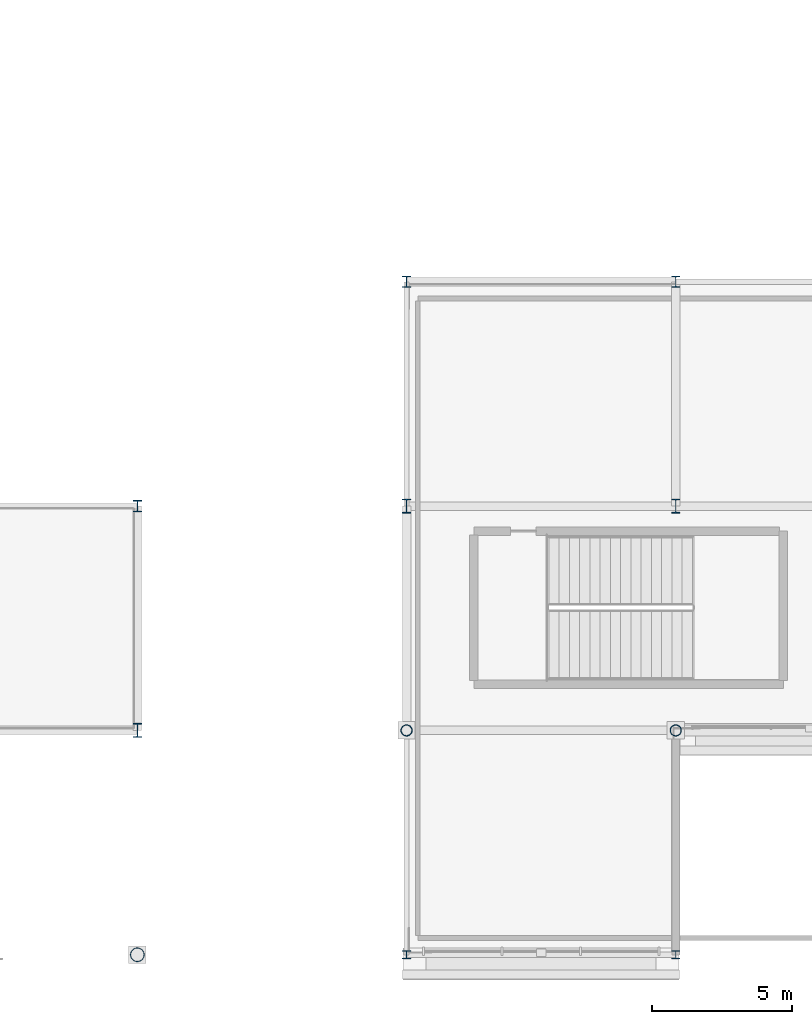
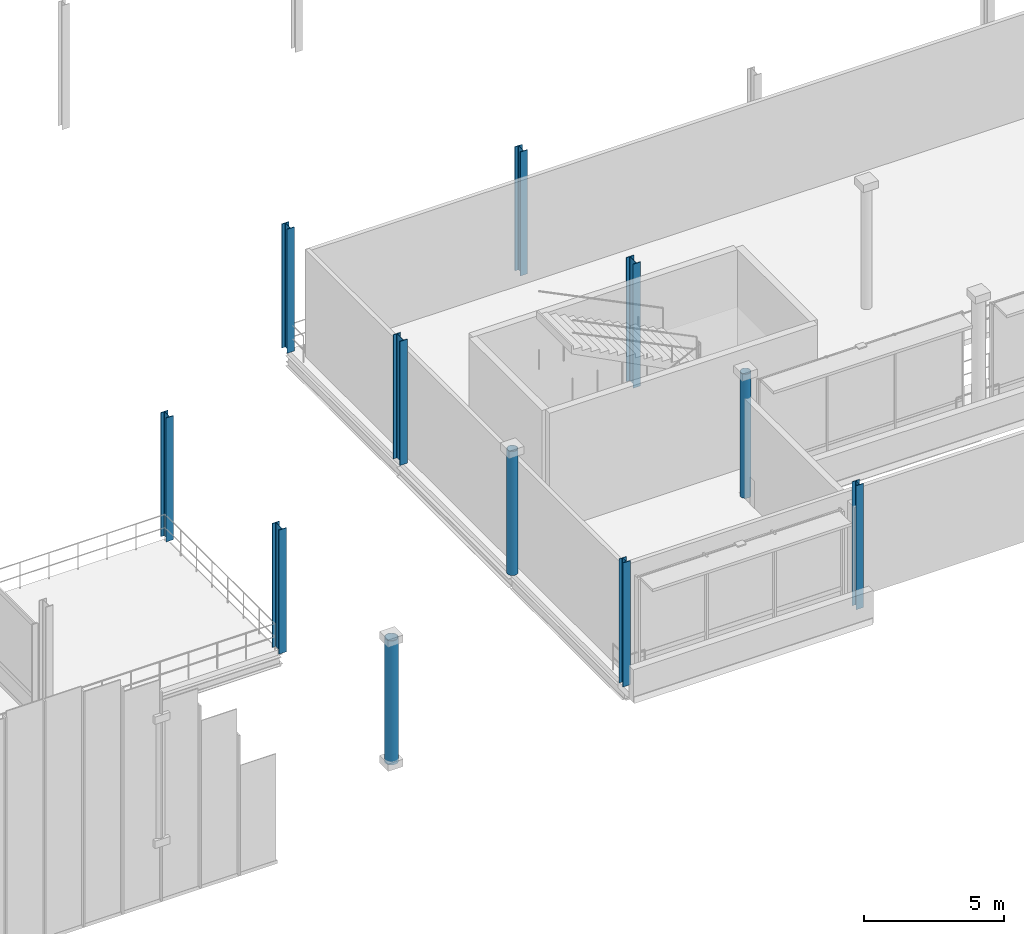
# One storey, part 12 of 129: 11 columns.
"""IFC4 building model written with IfcOpenShell, lengths in metres."""

import ifcopenshell
import ifcopenshell.guid

model = None  # the IFC model being written
_history = None  # IfcOwnerHistory: only IFC2X3 demands one
_inside = {}  # id of a spatial element -> (the spatial element, [elements in it])
_under = {}  # id of a project, library or spatial element -> (it, [spatial elements below it])
_declared = {}  # id of a project -> (the project, [libraries it declares])
_typed = {}  # id of a type object -> (the type object, [elements of that type])
_made_of = {}  # id of a material, layer set ... -> (it, [elements and type objects made of it])


def new_model(schema):
    """Start an empty IFC model of exactly this schema.

    Asked for "IFC4X3", IfcOpenShell would pick the latest addendum, in which some entities
    have other attributes; the version numbers below select the first issue.
    IFC2X3 requires an IfcOwnerHistory on every rooted entity: one is made here for all.
    """
    global model, _history
    if schema == "IFC4X3":
        model = ifcopenshell.file(schema_version=(4, 3, 0, 0))
    else:
        model = ifcopenshell.file(schema=schema)
    _inside.clear()
    _under.clear()
    _declared.clear()
    _typed.clear()
    _made_of.clear()
    _history = None
    if model.schema == "IFC2X3":
        org = make("IfcOrganization", Name="unknown")
        user = make(
            "IfcPersonAndOrganization",
            ThePerson=make("IfcPerson", FamilyName="unknown"),
            TheOrganization=org,
        )
        app = make(
            "IfcApplication",
            ApplicationDeveloper=org,
            Version="unknown",
            ApplicationFullName="unknown",
            ApplicationIdentifier="unknown",
        )
        _history = make(
            "IfcOwnerHistory",
            OwningUser=user,
            OwningApplication=app,
            ChangeAction="ADDED",
            CreationDate=0,
        )
    return model


def make(cls, **values):
    """One entity of the class cls with the attributes given. An attribute that is None is left unset."""
    return model.create_entity(
        cls, **{name: value for name, value in values.items() if value is not None}
    )


def rooted(cls, **values):
    """An entity with a GlobalId (a new one), such as an element, a storey or a relation."""
    return make(cls, GlobalId=ifcopenshell.guid.new(), OwnerHistory=_history, **values)


def si_unit(unit_type, name, prefix=None):
    """IfcSIUnit, for example si_unit("LENGTHUNIT", "METRE", prefix="MILLI")."""
    return make("IfcSIUnit", UnitType=unit_type, Prefix=prefix, Name=name)


def assignment(units):
    """IfcUnitAssignment: the units of a project."""
    return None if units is None else make("IfcUnitAssignment", Units=units)


def point(xyz):
    """IfcCartesianPoint."""
    return None if xyz is None else make("IfcCartesianPoint", Coordinates=xyz)


def direction(xyz):
    """IfcDirection."""
    return None if xyz is None else make("IfcDirection", DirectionRatios=xyz)


def frame(location, z_axis=None, x_axis=None):
    """IfcAxis2Placement3D, a coordinate frame: its origin and axes. An axis left out is left unset."""
    return make(
        "IfcAxis2Placement3D",
        Location=point(location),
        Axis=direction(z_axis),
        RefDirection=direction(x_axis),
    )


def frame_2d(location, x_axis=None):
    """IfcAxis2Placement2D, a coordinate frame in the plane: its origin and x axis."""
    return make(
        "IfcAxis2Placement2D", Location=point(location), RefDirection=direction(x_axis)
    )


def origin():
    """The frame at (0, 0, 0) with its axes left unset."""
    return frame((0.0, 0.0, 0.0))


def origin_2d():
    """The frame at (0, 0) in the plane with its x axis left unset."""
    return frame_2d((0.0, 0.0))


def place(relative_to, where):
    """IfcLocalPlacement: puts the frame where relative to a parent placement (None: the world)."""
    return make(
        "IfcLocalPlacement", PlacementRelTo=relative_to, RelativePlacement=where
    )


def context(
    kind, dimensions, precision=None, world=None, true_north=None, identifier=None
):
    """IfcGeometricRepresentationContext, for example the 3D "Model" context."""
    return make(
        "IfcGeometricRepresentationContext",
        ContextIdentifier=identifier,
        ContextType=kind,
        CoordinateSpaceDimension=dimensions,
        Precision=precision,
        WorldCoordinateSystem=world,
        TrueNorth=true_north,
    )


def subcontext(parent, identifier, kind, view, scale=None):
    """IfcGeometricRepresentationSubContext, for example "Body" below "Model"."""
    return make(
        "IfcGeometricRepresentationSubContext",
        ContextIdentifier=identifier,
        ContextType=kind,
        ParentContext=parent,
        TargetScale=scale,
        TargetView=view,
    )


def project(units=None, contexts=None):
    """IfcProject with its units and contexts."""
    return rooted(
        "IfcProject",
        Name="project",
        RepresentationContexts=contexts,
        UnitsInContext=assignment(units),
    )


def spatial(cls, under=None, at=None, **own):
    """A site, building, storey or space (cls), placed at a placement, below another one or the project."""
    s = rooted(cls, ObjectPlacement=at, **own)
    if under is not None:
        _under.setdefault(under.id(), (under, []))[1].append(s)
    return s


def profile(cls, at=None, kind="AREA", **sizes):
    """A parametric profile (cls). Its sizes go by their IFC names, for example OverallWidth=200.0."""
    return make(cls, ProfileType=kind, Position=at, **sizes)


def hollow_circle(**sizes):
    """IfcCircleHollowProfileDef."""
    return profile("IfcCircleHollowProfileDef", **sizes)


def i_section(**sizes):
    """IfcIShapeProfileDef."""
    return profile("IfcIShapeProfileDef", **sizes)


def extrude(swept, where, along, depth):
    """IfcExtrudedAreaSolid: the profile swept, set in the frame where, extruded along a direction by depth."""
    return make(
        "IfcExtrudedAreaSolid",
        SweptArea=swept,
        Position=where,
        ExtrudedDirection=direction(along),
        Depth=depth,
    )


def shape(context_of_items, identifier, shape_type, items):
    """IfcShapeRepresentation: the items that make up one representation, for example the "Body"."""
    return make(
        "IfcShapeRepresentation",
        ContextOfItems=context_of_items,
        RepresentationIdentifier=identifier,
        RepresentationType=shape_type,
        Items=items,
    )


def material(Name=None, Category=None):
    """IfcMaterial."""
    return make("IfcMaterial", Name=Name, Category=Category)


def material_profile(
    of_material, cross_section, Name=None, Category=None, Priority=None
):
    """IfcMaterialProfile: a cross section and its material."""
    return make(
        "IfcMaterialProfile",
        Name=Name,
        Material=of_material,
        Profile=cross_section,
        Priority=Priority,
        Category=Category,
    )


def profile_set(profiles, Name=None, composite=None):
    """IfcMaterialProfileSet."""
    return make(
        "IfcMaterialProfileSet",
        Name=Name,
        MaterialProfiles=profiles,
        CompositeProfile=composite,
    )


def made_of(thing, what):
    """Note that an element or type object is made of a material, layer set ...; save() writes the relation."""
    if what is not None:
        _made_of.setdefault(what.id(), (what, []))[1].append(thing)
    return thing


def type_object(cls, material=None, **own):
    """A type object (cls), such as IfcWallType, which elements share."""
    return made_of(rooted(cls, **own), material)


def element(
    cls,
    number,
    at=None,
    inside=None,
    cuts=None,
    type_object=None,
    material=None,
    context=None,
    identifier="Body",
    shape_type=None,
    held_by="IfcProductDefinitionShape",
    body=None,
    shapes=None,
    **own,
):
    """One element of the class cls, such as IfcWall. Its Tag is "e" and its number.

    at: its placement. inside: the storey or other place that contains it. cuts: it is an
    opening in that element (IfcRelVoidsElement). A single representation is given by context,
    identifier, shape_type and body (its items); several are given by shapes. held_by: the class
    of the entity that holds the representations. save() writes the other relations.
    """
    e = rooted(cls, Tag="e%d" % number, ObjectPlacement=at, **own)
    if body is not None:
        shapes = [shape(context, identifier, shape_type, body)]
    if shapes is not None:
        e.Representation = make(held_by, Representations=shapes)
    if inside is not None:
        _inside.setdefault(inside.id(), (inside, []))[1].append(e)
    if cuts is not None:
        rooted(
            "IfcRelVoidsElement", RelatingBuildingElement=cuts, RelatedOpeningElement=e
        )
    if type_object is not None:
        _typed.setdefault(type_object.id(), (type_object, []))[1].append(e)
    return made_of(e, material)


def aggregate(whole, parts):
    """IfcRelAggregates: a whole, such as a stair, and the parts it consists of."""
    return rooted("IfcRelAggregates", RelatingObject=whole, RelatedObjects=parts)


def save(model, path):
    """Write the relations noted so far, then the file.

    IfcRelAggregates (storeys below a building ...), IfcRelContainedInSpatialStructure (elements
    in a storey), IfcRelDefinesByType, IfcRelAssociatesMaterial and IfcRelDeclares: one each for
    every whole, place, type object, material and project.
    """
    for whole, parts in _under.values():
        aggregate(whole, parts)
    for where, things in _inside.values():
        rooted(
            "IfcRelContainedInSpatialStructure",
            RelatedElements=things,
            RelatingStructure=where,
        )
    for kind, things in _typed.values():
        rooted("IfcRelDefinesByType", RelatedObjects=things, RelatingType=kind)
    for what, things in _made_of.values():
        rooted("IfcRelAssociatesMaterial", RelatedObjects=things, RelatingMaterial=what)
    for by, libraries in _declared.values():
        rooted("IfcRelDeclares", RelatingContext=by, RelatedDefinitions=libraries)
    model.write(path)


model = new_model("IFC4")

# Units and contexts
model_context = context("Model", 3, precision=1e-05, world=origin(), true_north=direction((0.0, 1.0)))
body_context = subcontext(model_context, "Body", "Model", "MODEL_VIEW")
ifc_project = project(units=[si_unit("LENGTHUNIT", "METRE"), si_unit("AREAUNIT", "SQUARE_METRE"), si_unit("VOLUMEUNIT", "CUBIC_METRE"), si_unit("PLANEANGLEUNIT", "RADIAN"), si_unit("MASSUNIT", "GRAM", prefix="KILO")], contexts=[model_context])

# Site, building, storey
site_placement = place(None, origin())
site = spatial("IfcSite", under=ifc_project, at=site_placement, CompositionType="ELEMENT")
building_placement = place(site_placement, origin())
building = spatial("IfcBuilding", under=site, at=building_placement, Name="Danafjord Basin Convention Centre", CompositionType="ELEMENT")
storey_placement = place(building_placement, frame((0.0, 0.0, 6.0)))
storey = spatial("IfcBuildingStorey", under=building, at=storey_placement, Name="L01", CompositionType="ELEMENT", Elevation=6.0)

# Columns
ifc_material = material(Name="Steel S355", Category="steel")
ifc_material_profile_1 = material_profile(ifc_material, hollow_circle(Radius=0.203125, WallThickness=0.02001953125, at=origin_2d()), Name="CHS 406.4x20.0")
ifc_profile_set_1 = profile_set([ifc_material_profile_1], Name="Steel S355")
column_type_1 = type_object("IfcColumnType", Name="COL-C-CHS406", PredefinedType="COLUMN", material=ifc_profile_set_1)
for number, where, z_axis, x_axis, name in (
    (1, (144.0, 8.0, 0.0), (0.0, 0.0, 1.0), (1.0, 0.0, 0.0), "L01 column C-CHS406 at (144.0, 8.0)"),
    (2, (153.60009765625, 8.0, 0.0), (0.0, 0.0, 1.0), (1.0, 0.0, 0.0), "L01 column C-CHS406 at (153.6, 8.0)"),
):
    element("IfcColumn", number, at=place(storey_placement, frame(where, z_axis=z_axis, x_axis=x_axis)), inside=storey, type_object=column_type_1, Name=name, PredefinedType="COLUMN", context=body_context, shape_type="SweptSolid", body=[
        extrude(hollow_circle(Radius=0.203125, WallThickness=0.02001953125, at=origin_2d()), origin(), (0.0, 0.0, 1.0), 5.39990234375),
    ])
ifc_material_profile_2 = material_profile(ifc_material, hollow_circle(Radius=0.25390625, WallThickness=0.02490234375, at=origin_2d()), Name="CHS 508.0x25.0")
ifc_profile_set_2 = profile_set([ifc_material_profile_2], Name="Steel S355")
column_type_2 = type_object("IfcColumnType", Name="COL-C-CHS508", PredefinedType="COLUMN", material=ifc_profile_set_2)
column_placement = place(storey_placement, frame((134.39990234375, 0.0, 0.0), z_axis=(0.0, 0.0, 1.0), x_axis=(1.0, 0.0, 0.0)))
element("IfcColumn", 3, at=column_placement, inside=storey, type_object=column_type_2, Name="L01 column C-CHS508 at (134.4, 0.0)", PredefinedType="COLUMN", context=body_context, shape_type="SweptSolid", body=[
    extrude(hollow_circle(Radius=0.25390625, WallThickness=0.02490234375, at=origin_2d()), origin(), (0.0, 0.0, 1.0), 5.39990234375),
])
ifc_material_profile_3 = material_profile(ifc_material, i_section(OverallWidth=0.300048828125, OverallDepth=0.300048828125, WebThickness=0.010986328125, FlangeThickness=0.01904296875, FilletRadius=0.027099609375, at=origin_2d()), Name="HEB 300")
ifc_profile_set_3 = profile_set([ifc_material_profile_3], Name="Steel S355")
column_type_3 = type_object("IfcColumnType", Name="COL-C-HEB300", PredefinedType="COLUMN", material=ifc_profile_set_3)
for number, where, z_axis, x_axis, name in (
    (4, (144.0, 0.0, 0.0), (0.0, 0.0, 1.0), (1.0, 0.0, 0.0), "L01 column C-HEB300 at (144.0, 0.0)"),
    (5, (153.60009765625, 0.0, 0.0), (0.0, 0.0, 1.0), (1.0, 0.0, 0.0), "L01 column C-HEB300 at (153.6, 0.0)"),
):
    element("IfcColumn", number, at=place(storey_placement, frame(where, z_axis=z_axis, x_axis=x_axis)), inside=storey, type_object=column_type_3, Name=name, PredefinedType="COLUMN", context=body_context, shape_type="SweptSolid", body=[
        extrude(i_section(OverallWidth=0.300048828125, OverallDepth=0.300048828125, WebThickness=0.010986328125, FlangeThickness=0.01904296875, FilletRadius=0.027099609375, at=origin_2d()), origin(), (0.0, 0.0, 1.0), 5.39990234375),
    ])
ifc_material_profile_4 = material_profile(ifc_material, i_section(OverallWidth=0.300048828125, OverallDepth=0.39990234375, WebThickness=0.013427734375, FlangeThickness=0.02392578125, FilletRadius=0.027099609375, at=origin_2d()), Name="HEB 400")
ifc_profile_set_4 = profile_set([ifc_material_profile_4], Name="Steel S355")
column_type_4 = type_object("IfcColumnType", Name="COL-C-HEB400", PredefinedType="COLUMN", material=ifc_profile_set_4)
for number, where, z_axis, x_axis, name in (
    (6, (134.39990234375, 16.0, 0.0), (0.0, 0.0, 1.0), (1.0, 0.0, 0.0), "L01 column C-HEB400 at (134.4, 16.0)"),
    (7, (144.0, 24.0, 0.0), (0.0, 0.0, 1.0), (1.0, 0.0, 0.0), "L01 column C-HEB400 at (144.0, 24.0)"),
    (8, (153.60009765625, 24.0, 0.0), (0.0, 0.0, 1.0), (1.0, 0.0, 0.0), "L01 column C-HEB400 at (153.6, 24.0)"),
):
    element("IfcColumn", number, at=place(storey_placement, frame(where, z_axis=z_axis, x_axis=x_axis)), inside=storey, type_object=column_type_4, Name=name, PredefinedType="COLUMN", context=body_context, shape_type="SweptSolid", body=[
        extrude(i_section(OverallWidth=0.300048828125, OverallDepth=0.39990234375, WebThickness=0.013427734375, FlangeThickness=0.02392578125, FilletRadius=0.027099609375, at=origin_2d()), origin(), (0.0, 0.0, 1.0), 5.39990234375),
    ])
ifc_material_profile_5 = material_profile(ifc_material, i_section(OverallWidth=0.300048828125, OverallDepth=0.5, WebThickness=0.014404296875, FlangeThickness=0.028076171875, FilletRadius=0.027099609375, at=origin_2d()), Name="HEB 500")
ifc_profile_set_5 = profile_set([ifc_material_profile_5], Name="Steel S355")
column_type_5 = type_object("IfcColumnType", Name="COL-C-HEB500", PredefinedType="COLUMN", material=ifc_profile_set_5)
for number, where, z_axis, x_axis, name in (
    (9, (134.39990234375, 8.0, 0.0), (0.0, 0.0, 1.0), (1.0, 0.0, 0.0), "L01 column C-HEB500 at (134.4, 8.0)"),
    (10, (144.0, 16.0, 0.0), (0.0, 0.0, 1.0), (1.0, 0.0, 0.0), "L01 column C-HEB500 at (144.0, 16.0)"),
    (11, (153.60009765625, 16.0, 0.0), (0.0, 0.0, 1.0), (1.0, 0.0, 0.0), "L01 column C-HEB500 at (153.6, 16.0)"),
):
    element("IfcColumn", number, at=place(storey_placement, frame(where, z_axis=z_axis, x_axis=x_axis)), inside=storey, type_object=column_type_5, Name=name, PredefinedType="COLUMN", context=body_context, shape_type="SweptSolid", body=[
        extrude(i_section(OverallWidth=0.300048828125, OverallDepth=0.5, WebThickness=0.014404296875, FlangeThickness=0.028076171875, FilletRadius=0.027099609375, at=origin_2d()), origin(), (0.0, 0.0, 1.0), 5.39990234375),
    ])

save(model, "model.ifc")
